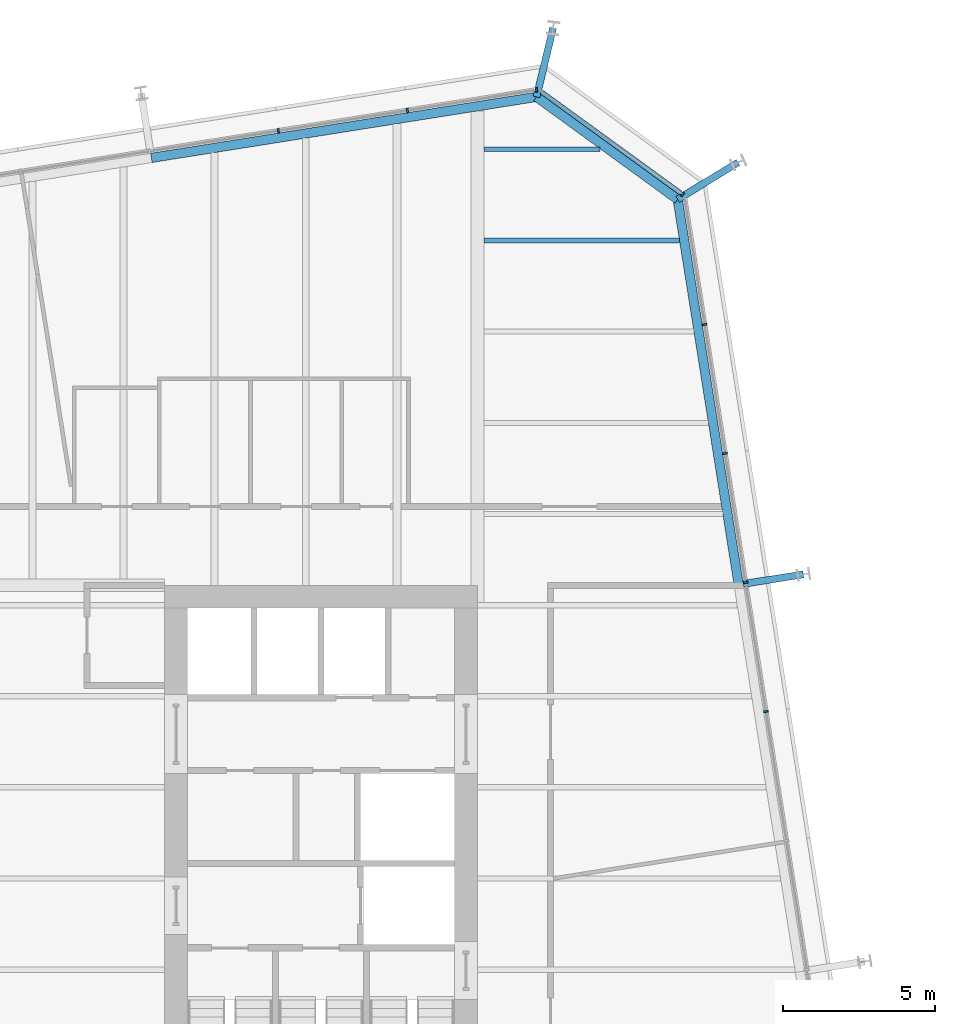
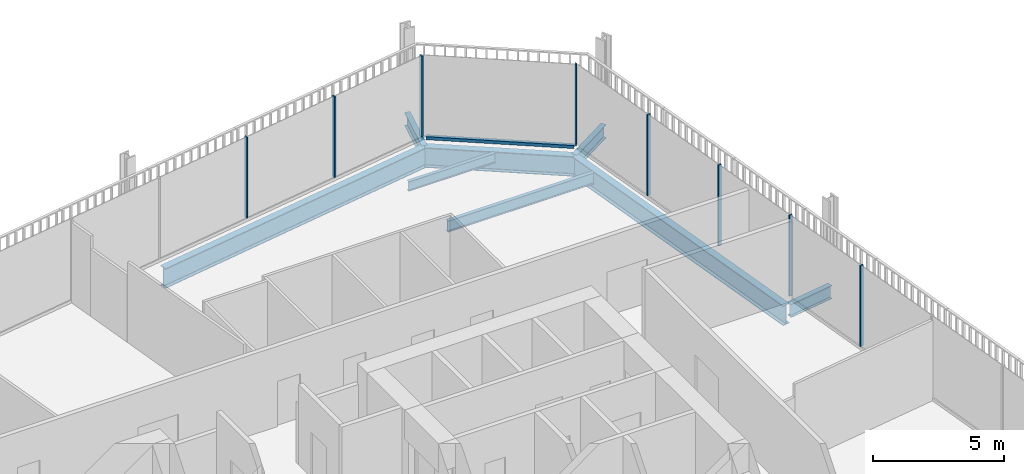
# One storey, part 15 of 21: 9 members, 8 beams, 3 elements without a shape of their own.
"""IFC4 building model written with IfcOpenShell, lengths in metres."""

from ifc_helpers import new_model, si_unit, direction, frame, origin, origin_2d, place, context, subcontext, project, spatial, rectangle, i_section, extrude, material, layer, layer_set, material_profile, profile_set, type_object, element, aggregate, save


model = new_model("IFC4")

# Units and contexts
model_context = context("Model", 3, precision=1e-05, world=origin(), true_north=direction((0.0, 1.0)))
body_context = subcontext(model_context, "Body", "Model", "MODEL_VIEW")
ifc_project = project(units=[si_unit("LENGTHUNIT", "METRE"), si_unit("AREAUNIT", "SQUARE_METRE"), si_unit("VOLUMEUNIT", "CUBIC_METRE"), si_unit("PLANEANGLEUNIT", "RADIAN"), si_unit("MASSUNIT", "GRAM", prefix="KILO")], contexts=[model_context])

# Site, building, storey
site_placement = place(None, origin())
site = spatial("IfcSite", under=ifc_project, at=site_placement, CompositionType="ELEMENT")
building_placement = place(site_placement, origin())
building = spatial("IfcBuilding", under=site, at=building_placement, Name="Millrace Tower", CompositionType="ELEMENT")
storey_placement = place(building_placement, frame((0.0, 0.0, 183.89990234375)))
storey = spatial("IfcBuildingStorey", under=building, at=storey_placement, Name="L41", CompositionType="ELEMENT", Elevation=183.89990234375)

# Curtain wall, members
ifc_material_1 = material(Name="Aluminium and glass", Category="aluminium")
ifc_layer = layer(ifc_material_1, 0.14990234375)
ifc_layer_set = layer_set([ifc_layer], Name="Aluminium and glass")
curtain_wall_type = type_object("IfcCurtainWallType", Name="CW-1 office vision curtain wall", PredefinedType="NOTDEFINED", material=ifc_layer_set)
placement = place(storey_placement, origin())
curtain_wall_1 = element("IfcCurtainWall", 1, at=placement, inside=storey, type_object=curtain_wall_type, Name="Curtain wall C-F04 L41", PredefinedType="NOTDEFINED")
ifc_material_2 = material(Name="Aluminium", Category="aluminium")
ifc_material_profile_1 = material_profile(ifc_material_2, rectangle(XDim=0.06494140625, YDim=0.14990234375, at=origin_2d()))
ifc_profile_set_1 = profile_set([ifc_material_profile_1], Name="Aluminium")
member_type_1 = type_object("IfcMemberType", Name="CW-1 office vision curtain wall mullion", PredefinedType="MULLION", material=ifc_profile_set_1)
member_1_placement = place(storey_placement, frame((24.143310546875, 5.49365234375, 0.14013671875), z_axis=(0.0, 0.0, 1.0), x_axis=(-0.15643447328, 0.98768833929, 0.0)))
member_1 = element("IfcMember", 2, at=member_1_placement, type_object=member_type_1, Name="CW1 mullion C-F04.6", PredefinedType="MULLION", context=body_context, shape_type="SweptSolid", body=[
    extrude(rectangle(XDim=0.06494140625, YDim=0.14990234375, at=origin_2d()), origin(), (0.0, 0.0, 1.0), 3.760009765625),
])
member_2_placement = place(storey_placement, frame((23.470703125, 9.74072265625, 0.14013671875), z_axis=(0.0, 0.0, 1.0), x_axis=(-0.15643447328, 0.98768833929, 0.0)))
member_2 = element("IfcMember", 3, at=member_2_placement, type_object=member_type_1, Name="CW1 mullion C-F04.7", PredefinedType="MULLION", context=body_context, shape_type="SweptSolid", body=[
    extrude(rectangle(XDim=0.06494140625, YDim=0.14990234375, at=origin_2d()), origin(), (0.0, 0.0, 1.0), 3.760009765625),
])
member_3_placement = place(storey_placement, frame((22.798095703125, 13.98779296875, 0.14013671875), z_axis=(0.0, 0.0, 1.0), x_axis=(-0.15643447328, 0.98768833929, 0.0)))
member_3 = element("IfcMember", 4, at=member_3_placement, type_object=member_type_1, Name="CW1 mullion C-F04.8", PredefinedType="MULLION", context=body_context, shape_type="SweptSolid", body=[
    extrude(rectangle(XDim=0.06494140625, YDim=0.14990234375, at=origin_2d()), origin(), (0.0, 0.0, 1.0), 3.760009765625),
])
member_4_placement = place(storey_placement, frame((22.125244140625, 18.23486328125, 0.14013671875), z_axis=(0.0, 0.0, 1.0), x_axis=(-0.15643447328, 0.98768833929, 0.0)))
member_4 = element("IfcMember", 5, at=member_4_placement, type_object=member_type_1, Name="CW1 mullion C-F04.9", PredefinedType="MULLION", context=body_context, shape_type="SweptSolid", body=[
    extrude(rectangle(XDim=0.06494140625, YDim=0.14990234375, at=origin_2d()), origin(), (0.0, 0.0, 1.0), 3.760009765625),
])
aggregate(curtain_wall_1, [member_1, member_2, member_3, member_4])

# Curtain wall, member
curtain_wall_2 = element("IfcCurtainWall", 6, at=placement, inside=storey, type_object=curtain_wall_type, Name="Curtain wall C-F05 L41", PredefinedType="NOTDEFINED")
member_5_placement = place(storey_placement, frame((21.4013671875, 22.517822265625, 0.14013671875), z_axis=(0.0, 0.0, 1.0), x_axis=(-0.809016981623, 0.587785269844, 0.0)))
member_5 = element("IfcMember", 7, at=member_5_placement, type_object=member_type_1, Name="CW1 mullion C-F05.1", PredefinedType="MULLION", context=body_context, shape_type="SweptSolid", body=[
    extrude(rectangle(XDim=0.06494140625, YDim=0.14990234375, at=origin_2d()), origin(), (0.0, 0.0, 1.0), 3.760009765625),
])

# Curtain wall, members
curtain_wall_3 = element("IfcCurtainWall", 8, at=placement, inside=storey, type_object=curtain_wall_type, Name="Curtain wall C-F06 L41", PredefinedType="NOTDEFINED")
member_6_placement = place(storey_placement, frame((16.591796875, 25.956787109375, 0.14013671875), z_axis=(0.0, 0.0, 1.0), x_axis=(-0.98768833929, -0.15643447328, 0.0)))
member_6 = element("IfcMember", 9, at=member_6_placement, type_object=member_type_1, Name="CW1 mullion C-F06.1", PredefinedType="MULLION", context=body_context, shape_type="SweptSolid", body=[
    extrude(rectangle(XDim=0.06494140625, YDim=0.14990234375, at=origin_2d()), origin(), (0.0, 0.0, 1.0), 3.760009765625),
])
member_7_placement = place(storey_placement, frame((12.3447265625, 25.283935546875, 0.14013671875), z_axis=(0.0, 0.0, 1.0), x_axis=(-0.98768833929, -0.15643447328, 0.0)))
member_7 = element("IfcMember", 10, at=member_7_placement, type_object=member_type_1, Name="CW1 mullion C-F06.2", PredefinedType="MULLION", context=body_context, shape_type="SweptSolid", body=[
    extrude(rectangle(XDim=0.06494140625, YDim=0.14990234375, at=origin_2d()), origin(), (0.0, 0.0, 1.0), 3.760009765625),
])
member_8_placement = place(storey_placement, frame((8.09765625, 24.611328125, 0.14013671875), z_axis=(0.0, 0.0, 1.0), x_axis=(-0.98768833929, -0.15643447328, 0.0)))
member_8 = element("IfcMember", 11, at=member_8_placement, type_object=member_type_1, Name="CW1 mullion C-F06.3", PredefinedType="MULLION", context=body_context, shape_type="SweptSolid", body=[
    extrude(rectangle(XDim=0.06494140625, YDim=0.14990234375, at=origin_2d()), origin(), (0.0, 0.0, 1.0), 3.760009765625),
])
aggregate(curtain_wall_3, [member_6, member_7, member_8])

# Member
ifc_material_3 = material(Name="Aluminium", Category="aluminium")
ifc_material_profile_2 = material_profile(ifc_material_3, rectangle(XDim=0.14990234375, YDim=0.139892578125, at=origin_2d()))
ifc_profile_set_2 = profile_set([ifc_material_profile_2], Name="Aluminium")
member_type_2 = type_object("IfcMemberType", Name="CW-1 office vision curtain wall transom", PredefinedType="USERDEFINED", material=ifc_profile_set_2)
member_9_placement = place(storey_placement, frame((21.346923828125, 22.557373046875, 0.070068359375), z_axis=(-0.809013470651, 0.587790102252, 0.0), x_axis=(-0.587790102252, -0.809013470651, 0.0)))
member_9 = element("IfcMember", 12, at=member_9_placement, type_object=member_type_2, Name="CW1 transom C-F05.1", ObjectType="TRANSOM", PredefinedType="USERDEFINED", context=body_context, shape_type="SweptSolid", body=[
    extrude(rectangle(XDim=0.14990234375, YDim=0.139892578125, at=origin_2d()), origin(), (0.0, 0.0, 1.0), 5.669189453125),
])

aggregate(curtain_wall_2, [member_5, member_9])

# Beams
ifc_material_4 = material(Name="Steel ASTM A992 Grade 50", Category="steel")
ifc_material_profile_3 = material_profile(ifc_material_4, i_section(OverallWidth=0.15234375, OverallDepth=0.449462890625, WebThickness=0.007568359375, FlangeThickness=0.0107421875, FilletRadius=0.01025390625, at=origin_2d()))
ifc_profile_set_3 = profile_set([ifc_material_profile_3], Name="Steel ASTM A992 Grade 50")
beam_type_1 = type_object("IfcBeamType", Name="Floor beam W18x35", PredefinedType="JOIST", material=ifc_profile_set_3)
beam_1_placement = place(storey_placement, frame((14.859619140625, 24.0, -0.384765625), z_axis=(1.0, 0.0, 0.0), x_axis=(0.0, 1.0, 0.0)))
element("IfcBeam", 13, at=beam_1_placement, inside=storey, type_object=beam_type_1, Name="BM-C-L41-S1-S038", PredefinedType="JOIST", context=body_context, shape_type="SweptSolid", body=[
    extrude(i_section(OverallWidth=0.15234375, OverallDepth=0.449462890625, WebThickness=0.007568359375, FlangeThickness=0.0107421875, FilletRadius=0.01025390625, at=origin_2d()), origin(), (0.0, 0.0, 1.0), 3.8232421875),
])
ifc_material_5 = material(Name="Steel ASTM A992 Grade 50", Category="steel")
ifc_material_profile_4 = material_profile(ifc_material_5, i_section(OverallWidth=0.1650390625, OverallDepth=0.52587890625, WebThickness=0.0087890625, FlangeThickness=0.011474609375, FilletRadius=0.0126953125, at=origin_2d()))
ifc_profile_set_4 = profile_set([ifc_material_profile_4], Name="Steel ASTM A992 Grade 50")
beam_type_2 = type_object("IfcBeamType", Name="Floor beam W21x44", PredefinedType="JOIST", material=ifc_profile_set_4)
beam_2_placement = place(storey_placement, frame((14.859619140625, 21.0, -0.4228515625), z_axis=(1.0, 0.0, 0.0), x_axis=(0.0, 1.0, 0.0)))
element("IfcBeam", 14, at=beam_2_placement, inside=storey, type_object=beam_type_2, Name="BM-C-L41-S1-S037", PredefinedType="JOIST", context=body_context, shape_type="SweptSolid", body=[
    extrude(i_section(OverallWidth=0.1650390625, OverallDepth=0.52587890625, WebThickness=0.0087890625, FlangeThickness=0.011474609375, FilletRadius=0.0126953125, at=origin_2d()), origin(), (0.0, 0.0, 1.0), 6.440673828125),
])
ifc_material_6 = material(Name="Steel ASTM A992 Grade 50", Category="steel")
ifc_material_profile_5 = material_profile(ifc_material_6, i_section(OverallWidth=0.23046875, OverallDepth=0.6171875, WebThickness=0.01318359375, FlangeThickness=0.022216796875, FilletRadius=0.012939453125, at=origin_2d()))
ifc_profile_set_5 = profile_set([ifc_material_profile_5], Name="Steel ASTM A992 Grade 50")
beam_type_3 = type_object("IfcBeamType", Name="Link beam W24x94", PredefinedType="BEAM", material=ifc_profile_set_5)
beam_3_placement = place(storey_placement, frame((16.5966796875, 25.725830078125, -0.468505859375), z_axis=(0.233432364948, 0.972373041068, 0.0), x_axis=(-0.972373041068, 0.233432364948, 0.0)))
element("IfcBeam", 15, at=beam_3_placement, inside=storey, type_object=beam_type_3, Name="LNK-C-L41-S1-08", PredefinedType="BEAM", context=body_context, shape_type="SweptSolid", body=[
    extrude(i_section(OverallWidth=0.23046875, OverallDepth=0.6171875, WebThickness=0.01318359375, FlangeThickness=0.022216796875, FilletRadius=0.012939453125, at=origin_2d()), origin(), (0.0, 0.0, 1.0), 2.331298828125),
])
beam_4_placement = place(storey_placement, frame((21.241943359375, 22.35107421875, -0.468505859375), z_axis=(0.852631355792, 0.522512938711, 0.0), x_axis=(-0.522512938711, 0.852631355792, 0.0)))
element("IfcBeam", 16, at=beam_4_placement, inside=storey, type_object=beam_type_3, Name="LNK-C-L41-S1-09", PredefinedType="BEAM", context=body_context, shape_type="SweptSolid", body=[
    extrude(i_section(OverallWidth=0.23046875, OverallDepth=0.6171875, WebThickness=0.01318359375, FlangeThickness=0.022216796875, FilletRadius=0.012939453125, at=origin_2d()), origin(), (0.0, 0.0, 1.0), 2.3310546875),
])
beam_5_placement = place(storey_placement, frame((23.401611328125, 9.69677734375, -0.468505859375), z_axis=(0.987678691416, 0.156495375404, 0.0), x_axis=(-0.156495375404, 0.987678691416, 0.0)))
element("IfcBeam", 17, at=beam_5_placement, inside=storey, type_object=beam_type_3, Name="LNK-C-L41-S1-10", PredefinedType="BEAM", context=body_context, shape_type="SweptSolid", body=[
    extrude(i_section(OverallWidth=0.23046875, OverallDepth=0.6171875, WebThickness=0.01318359375, FlangeThickness=0.022216796875, FilletRadius=0.012939453125, at=origin_2d()), origin(), (0.0, 0.0, 1.0), 2.0),
])
ifc_material_7 = material(Name="Steel ASTM A992 Grade 50", Category="steel")
ifc_material_profile_6 = material_profile(ifc_material_7, i_section(OverallWidth=0.307373046875, OverallDepth=0.927001953125, WebThickness=0.01953125, FlangeThickness=0.031982421875, FilletRadius=0.01904296875, at=origin_2d()))
ifc_profile_set_6 = profile_set([ifc_material_profile_6], Name="Steel ASTM A992 Grade 50")
beam_type_4 = type_object("IfcBeamType", Name="Ring beam medium span W36x194", PredefinedType="SPANDREL", material=ifc_profile_set_6)
for number, where, z_axis, x_axis, name in (
    (18, (3.91845703125, 23.718017578125, -0.62353515625), (0.987690996996, 0.156417692264, 0.0), (-0.156417692264, 0.987690996996, 0.0), "RNG-C-L41-S1-07"),
    (19, (21.241943359375, 22.35107421875, -0.62353515625), (0.156436246498, -0.987688058438, 0.0), (0.987688058438, 0.156436246498, 0.0), "RNG-C-L41-S1-09"),
):
    element("IfcBeam", number, at=place(storey_placement, frame(where, z_axis=z_axis, x_axis=x_axis)), inside=storey, type_object=beam_type_4, Name=name, PredefinedType="SPANDREL", context=body_context, shape_type="SweptSolid", body=[
        extrude(i_section(OverallWidth=0.307373046875, OverallDepth=0.927001953125, WebThickness=0.01953125, FlangeThickness=0.031982421875, FilletRadius=0.01904296875, at=origin_2d()), origin(), (0.0, 0.0, 1.0), 12.836181640625),
    ])
ifc_material_8 = material(Name="Steel ASTM A992 Grade 50", Category="steel")
ifc_material_profile_7 = material_profile(ifc_material_8, i_section(OverallWidth=0.307373046875, OverallDepth=0.927001953125, WebThickness=0.01953125, FlangeThickness=0.031982421875, FilletRadius=0.01904296875, at=origin_2d()))
ifc_profile_set_7 = profile_set([ifc_material_profile_7], Name="Steel ASTM A992 Grade 50")
beam_type_5 = type_object("IfcBeamType", Name="Ring beam short span W36x194", PredefinedType="SPANDREL", material=ifc_profile_set_7)
beam_6_placement = place(storey_placement, frame((16.5966796875, 25.725830078125, -0.62353515625), z_axis=(0.809035690681, -0.587759518174, 0.0), x_axis=(0.587759518174, 0.809035690681, 0.0)))
element("IfcBeam", 20, at=beam_6_placement, inside=storey, type_object=beam_type_5, Name="RNG-C-L41-S1-08", PredefinedType="SPANDREL", context=body_context, shape_type="SweptSolid", body=[
    extrude(i_section(OverallWidth=0.307373046875, OverallDepth=0.927001953125, WebThickness=0.01953125, FlangeThickness=0.031982421875, FilletRadius=0.01904296875, at=origin_2d()), origin(), (0.0, 0.0, 1.0), 5.74169921875),
])

save(model, "model.ifc")
